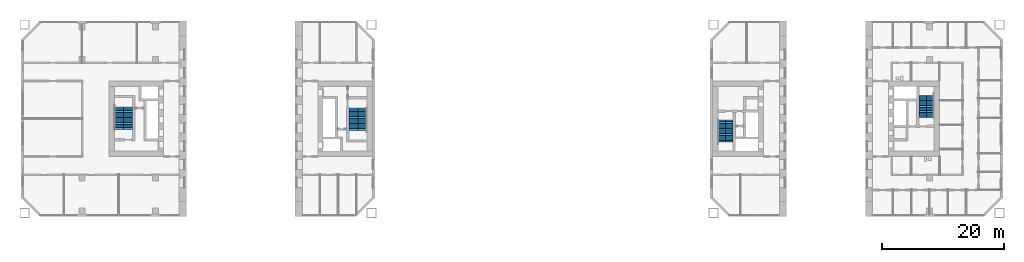
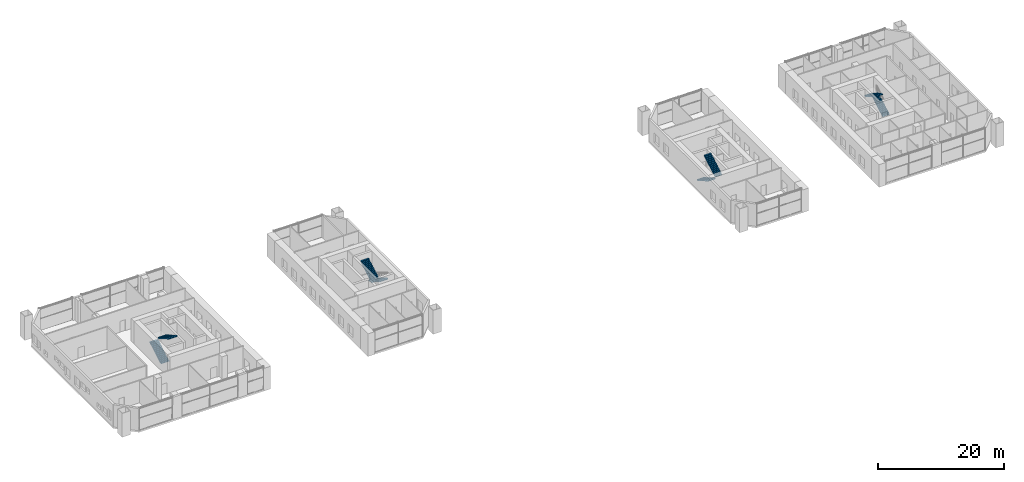
# One storey, part 17 of 19: 8 stair flights, 4 elements without a shape of their own.
"""IFC4 building model written with IfcOpenShell, lengths in metres."""

from ifc_helpers import new_model, si_unit, direction, frame, origin, place, context, subcontext, project, spatial, polyline, outline, extrude, material, type_object, element, aggregate, save


model = new_model("IFC4")

# Units and contexts
model_context = context("Model", 3, precision=1e-05, world=origin(), true_north=direction((0.0, 1.0)))
body_context = subcontext(model_context, "Body", "Model", "MODEL_VIEW")
ifc_project = project(units=[si_unit("LENGTHUNIT", "METRE"), si_unit("AREAUNIT", "SQUARE_METRE"), si_unit("VOLUMEUNIT", "CUBIC_METRE"), si_unit("PLANEANGLEUNIT", "RADIAN"), si_unit("MASSUNIT", "GRAM", prefix="KILO")], contexts=[model_context])

# Site, building, storey
site_placement = place(None, origin())
site = spatial("IfcSite", under=ifc_project, at=site_placement, CompositionType="ELEMENT")
building_placement = place(site_placement, origin())
building = spatial("IfcBuilding", under=site, at=building_placement, Name="Tuart Gate Housing", CompositionType="ELEMENT")
storey_placement = place(building_placement, frame((0.0, 0.0, 10.10009765625)))
storey = spatial("IfcBuildingStorey", under=building, at=storey_placement, Name="L02", CompositionType="ELEMENT", Elevation=10.10009765625)

# Stair, stair flights
ifc_material_1 = material(Name="Concrete C40", Category="concrete")
stair_type_1 = type_object("IfcStairType", Name="Core stair 1250", PredefinedType="HALF_TURN_STAIR", material=ifc_material_1)
stair_1_placement = place(storey_placement, origin())
stair_1 = element("IfcStair", 1, at=stair_1_placement, inside=storey, type_object=stair_type_1, Name="Stair SB1", PredefinedType="HALF_TURN_STAIR")
ifc_material_2 = material(Name="Concrete C40", Category="concrete")
stair_flight_type_1 = type_object("IfcStairFlightType", Name="Stair flight 1250, 14 risers 164 x 280", PredefinedType="STRAIGHT", material=ifc_material_2)
stair_flight_1_placement = place(storey_placement, frame((132.885009765625, 69.800048828125, 0.0), z_axis=(0.0, 0.0, 1.0), x_axis=(0.0, -1.0, 0.0)))
stair_flight_1 = element("IfcStairFlight", 2, at=stair_flight_1_placement, type_object=stair_flight_type_1, Name="SB1 flight 1", NumberOfRisers=14, NumberOfTreads=13, PredefinedType="STRAIGHT", RiserHeight=0.164285714, TreadLength=0.28, context=body_context, shape_type="SweptSolid", body=[
    extrude(outline(polyline([(0.0, 0.0), (0.0, 0.164306640625), (0.280029296875, 0.164306640625), (0.280029296875, 0.32861328125), (0.56005859375, 0.32861328125), (0.56005859375, 0.492919921875), (0.840087890625, 0.492919921875), (0.840087890625, 0.6572265625), (1.1201171875, 0.6572265625), (1.1201171875, 0.821533203125), (1.39990234375, 0.821533203125), (1.39990234375, 0.985595703125), (1.679931640625, 0.985595703125), (1.679931640625, 1.14990234375), (1.9599609375, 1.14990234375), (1.9599609375, 1.314208984375), (2.239990234375, 1.314208984375), (2.239990234375, 1.478515625), (2.52001953125, 1.478515625), (2.52001953125, 1.642822265625), (2.800048828125, 1.642822265625), (2.800048828125, 1.80712890625), (3.080078125, 1.80712890625), (3.080078125, 1.971435546875), (3.360107421875, 1.971435546875), (3.360107421875, 2.1357421875), (3.639892578125, 2.1357421875), (3.639892578125, 2.300048828125), (3.639892578125, 1.9619140625), (0.296142578125, 0.0), (0.0, 0.0)])), frame((0.0, 0.625, 0.0), z_axis=(0.0, -1.0, 0.0), x_axis=(1.0, 0.0, 0.0)), (0.0, 0.0, 1.0), 1.25),
])
stair_flight_2_placement = place(storey_placement, frame((134.135009765625, 66.159912109375, 2.2998046875), z_axis=(0.0, 0.0, 1.0), x_axis=(0.0, 1.0, 0.0)))
stair_flight_2 = element("IfcStairFlight", 3, at=stair_flight_2_placement, type_object=stair_flight_type_1, Name="SB1 flight 2", NumberOfRisers=14, NumberOfTreads=13, PredefinedType="STRAIGHT", RiserHeight=0.164285714, TreadLength=0.28, context=body_context, shape_type="SweptSolid", body=[
    extrude(outline(polyline([(0.0, 0.0), (0.0, 0.164306640625), (0.280029296875, 0.164306640625), (0.280029296875, 0.32861328125), (0.56005859375, 0.32861328125), (0.56005859375, 0.492919921875), (0.840087890625, 0.492919921875), (0.840087890625, 0.6572265625), (1.1201171875, 0.6572265625), (1.1201171875, 0.821533203125), (1.39990234375, 0.821533203125), (1.39990234375, 0.985595703125), (1.679931640625, 0.985595703125), (1.679931640625, 1.14990234375), (1.9599609375, 1.14990234375), (1.9599609375, 1.314208984375), (2.239990234375, 1.314208984375), (2.239990234375, 1.478515625), (2.52001953125, 1.478515625), (2.52001953125, 1.642822265625), (2.800048828125, 1.642822265625), (2.800048828125, 1.80712890625), (3.080078125, 1.80712890625), (3.080078125, 1.971435546875), (3.360107421875, 1.971435546875), (3.360107421875, 2.1357421875), (3.639892578125, 2.1357421875), (3.639892578125, 2.300048828125), (3.639892578125, 1.9619140625), (0.296142578125, 0.0), (0.0, 0.0)])), frame((0.0, 0.625, 0.0), z_axis=(0.0, -1.0, 0.0), x_axis=(1.0, 0.0, 0.0)), (0.0, 0.0, 1.0), 1.25),
])
aggregate(stair_1, [stair_flight_1, stair_flight_2])

stair_2_placement = place(storey_placement, origin())
stair_2 = element("IfcStair", 4, at=stair_2_placement, inside=storey, type_object=stair_type_1, Name="Stair SB2", PredefinedType="HALF_TURN_STAIR")
stair_flight_3_placement = place(storey_placement, frame((167.114990234375, 70.199951171875, 0.0), z_axis=(0.0, 0.0, 1.0), x_axis=(0.0, 1.0, 0.0)))
stair_flight_3 = element("IfcStairFlight", 5, at=stair_flight_3_placement, type_object=stair_flight_type_1, Name="SB2 flight 1", NumberOfRisers=14, NumberOfTreads=13, PredefinedType="STRAIGHT", RiserHeight=0.164285714, TreadLength=0.28, context=body_context, shape_type="SweptSolid", body=[
    extrude(outline(polyline([(0.0, 0.0), (0.0, 0.164306640625), (0.280029296875, 0.164306640625), (0.280029296875, 0.32861328125), (0.56005859375, 0.32861328125), (0.56005859375, 0.492919921875), (0.840087890625, 0.492919921875), (0.840087890625, 0.6572265625), (1.1201171875, 0.6572265625), (1.1201171875, 0.821533203125), (1.39990234375, 0.821533203125), (1.39990234375, 0.985595703125), (1.679931640625, 0.985595703125), (1.679931640625, 1.14990234375), (1.9599609375, 1.14990234375), (1.9599609375, 1.314208984375), (2.239990234375, 1.314208984375), (2.239990234375, 1.478515625), (2.52001953125, 1.478515625), (2.52001953125, 1.642822265625), (2.800048828125, 1.642822265625), (2.800048828125, 1.80712890625), (3.080078125, 1.80712890625), (3.080078125, 1.971435546875), (3.360107421875, 1.971435546875), (3.360107421875, 2.1357421875), (3.639892578125, 2.1357421875), (3.639892578125, 2.300048828125), (3.639892578125, 1.9619140625), (0.296142578125, 0.0), (0.0, 0.0)])), frame((0.0, 0.625, 0.0), z_axis=(0.0, -1.0, 0.0), x_axis=(1.0, 0.0, 0.0)), (0.0, 0.0, 1.0), 1.25),
])
stair_flight_4_placement = place(storey_placement, frame((165.864990234375, 73.840087890625, 2.2998046875), z_axis=(0.0, 0.0, 1.0), x_axis=(0.0, -1.0, 0.0)))
stair_flight_4 = element("IfcStairFlight", 6, at=stair_flight_4_placement, type_object=stair_flight_type_1, Name="SB2 flight 2", NumberOfRisers=14, NumberOfTreads=13, PredefinedType="STRAIGHT", RiserHeight=0.164285714, TreadLength=0.28, context=body_context, shape_type="SweptSolid", body=[
    extrude(outline(polyline([(0.0, 0.0), (0.0, 0.164306640625), (0.280029296875, 0.164306640625), (0.280029296875, 0.32861328125), (0.56005859375, 0.32861328125), (0.56005859375, 0.492919921875), (0.840087890625, 0.492919921875), (0.840087890625, 0.6572265625), (1.1201171875, 0.6572265625), (1.1201171875, 0.821533203125), (1.39990234375, 0.821533203125), (1.39990234375, 0.985595703125), (1.679931640625, 0.985595703125), (1.679931640625, 1.14990234375), (1.9599609375, 1.14990234375), (1.9599609375, 1.314208984375), (2.239990234375, 1.314208984375), (2.239990234375, 1.478515625), (2.52001953125, 1.478515625), (2.52001953125, 1.642822265625), (2.800048828125, 1.642822265625), (2.800048828125, 1.80712890625), (3.080078125, 1.80712890625), (3.080078125, 1.971435546875), (3.360107421875, 1.971435546875), (3.360107421875, 2.1357421875), (3.639892578125, 2.1357421875), (3.639892578125, 2.300048828125), (3.639892578125, 1.9619140625), (0.296142578125, 0.0), (0.0, 0.0)])), frame((0.0, 0.625, 0.0), z_axis=(0.0, -1.0, 0.0), x_axis=(1.0, 0.0, 0.0)), (0.0, 0.0, 1.0), 1.25),
])
aggregate(stair_2, [stair_flight_3, stair_flight_4])

ifc_material_3 = material(Name="Concrete C40", Category="concrete")
stair_type_2 = type_object("IfcStairType", Name="Core stair 1500", PredefinedType="HALF_TURN_STAIR", material=ifc_material_3)
stair_3_placement = place(storey_placement, origin())
stair_3 = element("IfcStair", 7, at=stair_3_placement, inside=storey, type_object=stair_type_2, Name="Stair SA1", PredefinedType="HALF_TURN_STAIR")
ifc_material_4 = material(Name="Concrete C40", Category="concrete")
stair_flight_type_2 = type_object("IfcStairFlightType", Name="Stair flight 1500, 14 risers 164 x 280", PredefinedType="STRAIGHT", material=ifc_material_4)
stair_flight_5_placement = place(storey_placement, frame((73.989990234375, 71.75, 0.0), z_axis=(0.0, 0.0, 1.0), x_axis=(0.0, -1.0, 0.0)))
stair_flight_5 = element("IfcStairFlight", 8, at=stair_flight_5_placement, type_object=stair_flight_type_2, Name="SA1 flight 1", NumberOfRisers=14, NumberOfTreads=13, PredefinedType="STRAIGHT", RiserHeight=0.164285714, TreadLength=0.28, context=body_context, shape_type="SweptSolid", body=[
    extrude(outline(polyline([(0.0, 0.0), (0.0, 0.164306640625), (0.280029296875, 0.164306640625), (0.280029296875, 0.32861328125), (0.56005859375, 0.32861328125), (0.56005859375, 0.492919921875), (0.840087890625, 0.492919921875), (0.840087890625, 0.6572265625), (1.1201171875, 0.6572265625), (1.1201171875, 0.821533203125), (1.39990234375, 0.821533203125), (1.39990234375, 0.985595703125), (1.679931640625, 0.985595703125), (1.679931640625, 1.14990234375), (1.9599609375, 1.14990234375), (1.9599609375, 1.314208984375), (2.239990234375, 1.314208984375), (2.239990234375, 1.478515625), (2.52001953125, 1.478515625), (2.52001953125, 1.642822265625), (2.800048828125, 1.642822265625), (2.800048828125, 1.80712890625), (3.080078125, 1.80712890625), (3.080078125, 1.971435546875), (3.360107421875, 1.971435546875), (3.360107421875, 2.1357421875), (3.639892578125, 2.1357421875), (3.639892578125, 2.300048828125), (3.639892578125, 1.9619140625), (0.296142578125, 0.0), (0.0, 0.0)])), frame((0.0, 0.75, 0.0), z_axis=(0.0, -1.0, 0.0), x_axis=(1.0, 0.0, 0.0)), (0.0, 0.0, 1.0), 1.5),
])
stair_flight_6_placement = place(storey_placement, frame((72.489990234375, 68.110107421875, 2.2998046875), z_axis=(0.0, 0.0, 1.0), x_axis=(0.0, 1.0, 0.0)))
stair_flight_6 = element("IfcStairFlight", 9, at=stair_flight_6_placement, type_object=stair_flight_type_2, Name="SA1 flight 2", NumberOfRisers=14, NumberOfTreads=13, PredefinedType="STRAIGHT", RiserHeight=0.164285714, TreadLength=0.28, context=body_context, shape_type="SweptSolid", body=[
    extrude(outline(polyline([(0.0, 0.0), (0.0, 0.164306640625), (0.280029296875, 0.164306640625), (0.280029296875, 0.32861328125), (0.56005859375, 0.32861328125), (0.56005859375, 0.492919921875), (0.840087890625, 0.492919921875), (0.840087890625, 0.6572265625), (1.1201171875, 0.6572265625), (1.1201171875, 0.821533203125), (1.39990234375, 0.821533203125), (1.39990234375, 0.985595703125), (1.679931640625, 0.985595703125), (1.679931640625, 1.14990234375), (1.9599609375, 1.14990234375), (1.9599609375, 1.314208984375), (2.239990234375, 1.314208984375), (2.239990234375, 1.478515625), (2.52001953125, 1.478515625), (2.52001953125, 1.642822265625), (2.800048828125, 1.642822265625), (2.800048828125, 1.80712890625), (3.080078125, 1.80712890625), (3.080078125, 1.971435546875), (3.360107421875, 1.971435546875), (3.360107421875, 2.1357421875), (3.639892578125, 2.1357421875), (3.639892578125, 2.300048828125), (3.639892578125, 1.9619140625), (0.296142578125, 0.0), (0.0, 0.0)])), frame((0.0, 0.75, 0.0), z_axis=(0.0, -1.0, 0.0), x_axis=(1.0, 0.0, 0.0)), (0.0, 0.0, 1.0), 1.5),
])
aggregate(stair_3, [stair_flight_5, stair_flight_6])

stair_4_placement = place(storey_placement, origin())
stair_4 = element("IfcStair", 10, at=stair_4_placement, inside=storey, type_object=stair_type_2, Name="Stair SA2", PredefinedType="HALF_TURN_STAIR")
stair_flight_7_placement = place(storey_placement, frame((34.010009765625, 68.25, 0.0), z_axis=(0.0, 0.0, 1.0), x_axis=(0.0, 1.0, 0.0)))
stair_flight_7 = element("IfcStairFlight", 11, at=stair_flight_7_placement, type_object=stair_flight_type_2, Name="SA2 flight 1", NumberOfRisers=14, NumberOfTreads=13, PredefinedType="STRAIGHT", RiserHeight=0.164285714, TreadLength=0.28, context=body_context, shape_type="SweptSolid", body=[
    extrude(outline(polyline([(0.0, 0.0), (0.0, 0.164306640625), (0.280029296875, 0.164306640625), (0.280029296875, 0.32861328125), (0.56005859375, 0.32861328125), (0.56005859375, 0.492919921875), (0.840087890625, 0.492919921875), (0.840087890625, 0.6572265625), (1.1201171875, 0.6572265625), (1.1201171875, 0.821533203125), (1.39990234375, 0.821533203125), (1.39990234375, 0.985595703125), (1.679931640625, 0.985595703125), (1.679931640625, 1.14990234375), (1.9599609375, 1.14990234375), (1.9599609375, 1.314208984375), (2.239990234375, 1.314208984375), (2.239990234375, 1.478515625), (2.52001953125, 1.478515625), (2.52001953125, 1.642822265625), (2.800048828125, 1.642822265625), (2.800048828125, 1.80712890625), (3.080078125, 1.80712890625), (3.080078125, 1.971435546875), (3.360107421875, 1.971435546875), (3.360107421875, 2.1357421875), (3.639892578125, 2.1357421875), (3.639892578125, 2.300048828125), (3.639892578125, 1.9619140625), (0.296142578125, 0.0), (0.0, 0.0)])), frame((0.0, 0.75, 0.0), z_axis=(0.0, -1.0, 0.0), x_axis=(1.0, 0.0, 0.0)), (0.0, 0.0, 1.0), 1.5),
])
stair_flight_8_placement = place(storey_placement, frame((35.510009765625, 71.889892578125, 2.2998046875), z_axis=(0.0, 0.0, 1.0), x_axis=(0.0, -1.0, 0.0)))
stair_flight_8 = element("IfcStairFlight", 12, at=stair_flight_8_placement, type_object=stair_flight_type_2, Name="SA2 flight 2", NumberOfRisers=14, NumberOfTreads=13, PredefinedType="STRAIGHT", RiserHeight=0.164285714, TreadLength=0.28, context=body_context, shape_type="SweptSolid", body=[
    extrude(outline(polyline([(0.0, 0.0), (0.0, 0.164306640625), (0.280029296875, 0.164306640625), (0.280029296875, 0.32861328125), (0.56005859375, 0.32861328125), (0.56005859375, 0.492919921875), (0.840087890625, 0.492919921875), (0.840087890625, 0.6572265625), (1.1201171875, 0.6572265625), (1.1201171875, 0.821533203125), (1.39990234375, 0.821533203125), (1.39990234375, 0.985595703125), (1.679931640625, 0.985595703125), (1.679931640625, 1.14990234375), (1.9599609375, 1.14990234375), (1.9599609375, 1.314208984375), (2.239990234375, 1.314208984375), (2.239990234375, 1.478515625), (2.52001953125, 1.478515625), (2.52001953125, 1.642822265625), (2.800048828125, 1.642822265625), (2.800048828125, 1.80712890625), (3.080078125, 1.80712890625), (3.080078125, 1.971435546875), (3.360107421875, 1.971435546875), (3.360107421875, 2.1357421875), (3.639892578125, 2.1357421875), (3.639892578125, 2.300048828125), (3.639892578125, 1.9619140625), (0.296142578125, 0.0), (0.0, 0.0)])), frame((0.0, 0.75, 0.0), z_axis=(0.0, -1.0, 0.0), x_axis=(1.0, 0.0, 0.0)), (0.0, 0.0, 1.0), 1.5),
])
aggregate(stair_4, [stair_flight_7, stair_flight_8])

save(model, "model.ifc")
